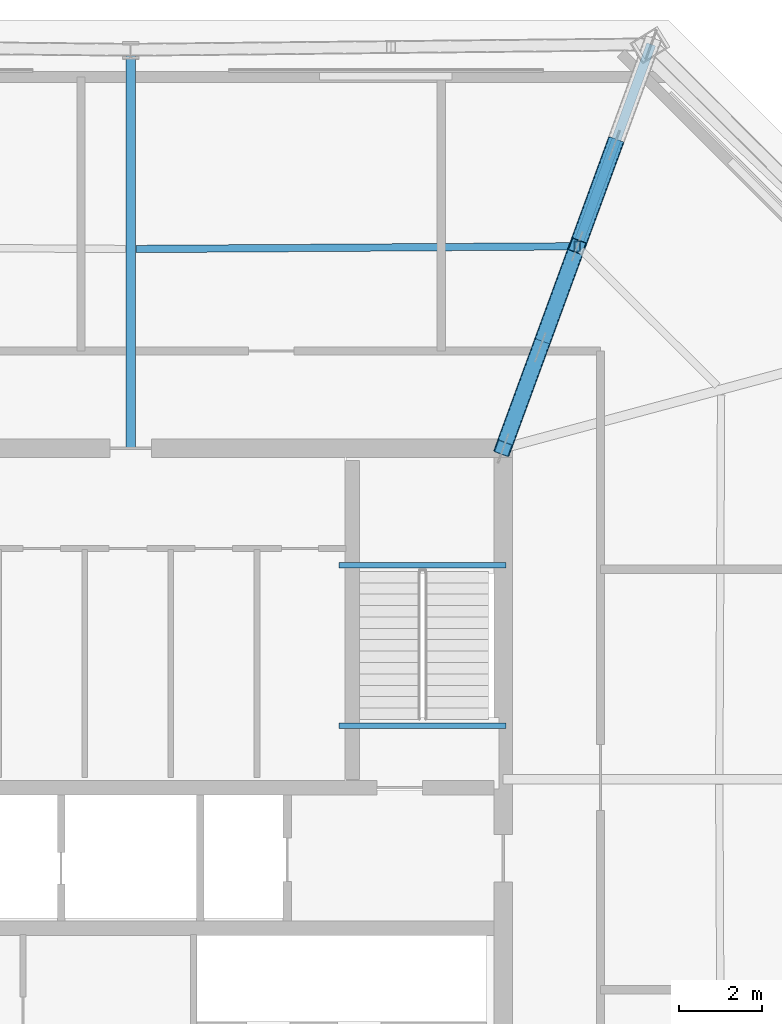
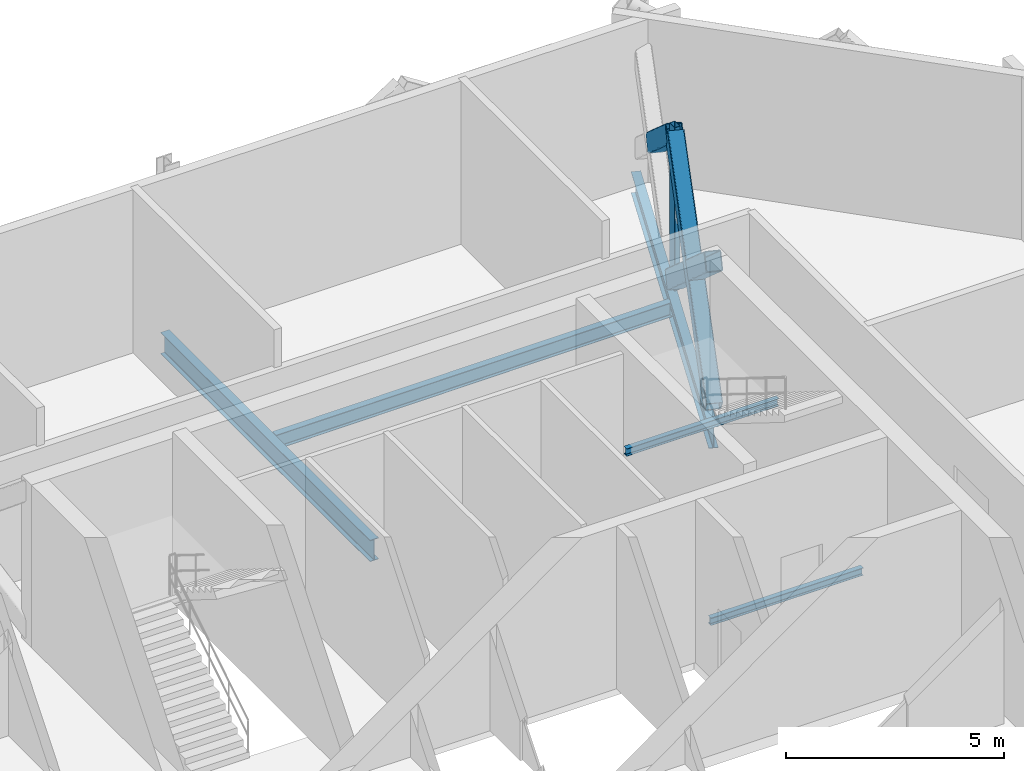
# One storey, part 5 of 10: 5 beams, 5 members.
"""IFC4 building model written with IfcOpenShell, lengths in metres."""

from ifc_helpers import new_model, si_unit, direction, frame, origin, origin_2d, place, context, subcontext, project, spatial, hollow_rectangle, i_section, extrude, material, material_profile, profile_set, type_object, element, save


model = new_model("IFC4")

# Units and contexts
model_context = context("Model", 3, precision=1e-05, world=origin(), true_north=direction((0.0, 1.0)))
body_context = subcontext(model_context, "Body", "Model", "MODEL_VIEW")
ifc_project = project(units=[si_unit("LENGTHUNIT", "METRE"), si_unit("AREAUNIT", "SQUARE_METRE"), si_unit("VOLUMEUNIT", "CUBIC_METRE"), si_unit("PLANEANGLEUNIT", "RADIAN"), si_unit("MASSUNIT", "GRAM", prefix="KILO")], contexts=[model_context])

# Site, building, storey
site_placement = place(None, origin())
site = spatial("IfcSite", under=ifc_project, at=site_placement, CompositionType="ELEMENT")
building_placement = place(site_placement, origin())
building = spatial("IfcBuilding", under=site, at=building_placement, Name="Caelvoria Tower", CompositionType="ELEMENT")
storey_placement = place(building_placement, frame((0.0, 0.0, 234.60009765625)))
storey = spatial("IfcBuildingStorey", under=building, at=storey_placement, Name="L62", CompositionType="ELEMENT", Elevation=234.60009765625)

# Beams
ifc_material_1 = material(Name="Structural Steel ASTM A992 Gr.50", Category="steel")
ifc_material_profile_1 = material_profile(ifc_material_1, i_section(OverallWidth=0.134033203125, OverallDepth=0.2099609375, WebThickness=0.00634765625, FlangeThickness=0.01025390625, FilletRadius=0.010009765625, at=origin_2d()), Name="Structural Steel ASTM A992 Gr.50")
ifc_profile_set_1 = profile_set([ifc_material_profile_1], Name="W200X31.3 - Structural Steel ASTM A992 Gr.50")
beam_type_1 = type_object("IfcBeamType", Name="Canopy Edge Trim Beam W200X31.3", PredefinedType="BEAM", material=ifc_profile_set_1)
for number, where, z_axis, x_axis, name in (
    (1, (51.030029296875, 37.175048828125, 2.094970703125), (1.0, 0.0, 0.0), (0.0, 1.0, 0.0), "ST-02 Half-Landing Support Beam L62"),
    (2, (51.030029296875, 33.300048828125, -0.30517578125), (1.0, 0.0, 0.0), (0.0, 1.0, 0.0), "ST-02 Floor-Landing Support Beam L62"),
):
    element("IfcBeam", number, at=place(storey_placement, frame(where, z_axis=z_axis, x_axis=x_axis)), inside=storey, type_object=beam_type_1, Name=name, PredefinedType="BEAM", context=body_context, shape_type="SweptSolid", body=[
        extrude(i_section(OverallWidth=0.134033203125, OverallDepth=0.2099609375, WebThickness=0.00634765625, FlangeThickness=0.01025390625, FilletRadius=0.010009765625, at=origin_2d()), origin(), (0.0, 0.0, 1.0), 4.0400390625),
    ])

# Members
ifc_material_2 = material(Name="Structural Steel ASTM A572 Gr.50", Category="steel")
ifc_material_profile_2 = material_profile(ifc_material_2, hollow_rectangle(XDim=0.39990234375, YDim=0.5, WallThickness=0.02197265625, InnerFilletRadius=0.02197265625, OuterFilletRadius=0.0439453125, at=origin_2d()), Name="Structural Steel ASTM A572 Gr.50")
ifc_profile_set_2 = profile_set([ifc_material_profile_2], Name="HSS500X400X22 - Structural Steel ASTM A572 Gr.50")
member_type_1 = type_object("IfcMemberType", Name="Outrigger Diagonal HSS500X400X22", PredefinedType="BRACE", material=ifc_profile_set_2)
member_1_placement = place(storey_placement, frame((55.0, 40.0, 0.25), z_axis=(0.270675754431, 0.738858663645, 0.617108184292), x_axis=(-0.93897448414, 0.343986799359, 0.0)))
element("IfcMember", 3, at=member_1_placement, inside=storey, type_object=member_type_1, Name="Outrigger Truss Diagonal L62-NE-1A", PredefinedType="BRACE", context=body_context, shape_type="SweptSolid", body=[
    extrude(hollow_rectangle(XDim=0.39990234375, YDim=0.5, WallThickness=0.02197265625, InnerFilletRadius=0.02197265625, OuterFilletRadius=0.0439453125, at=origin_2d()), origin(), (0.0, 0.0, 1.0), 6.603271484375),
])
member_2_placement = place(storey_placement, frame((55.0, 40.0, 4.324951171875), z_axis=(0.270703841243, 0.738834411826, -0.61712490003), x_axis=(-0.938959307136, 0.344028224922, 0.0)))
element("IfcMember", 4, at=member_2_placement, inside=storey, type_object=member_type_1, Name="Outrigger Truss Diagonal L62-NE-1B1", PredefinedType="BRACE", context=body_context, shape_type="SweptSolid", body=[
    extrude(hollow_rectangle(XDim=0.39990234375, YDim=0.5, WallThickness=0.02197265625, InnerFilletRadius=0.02197265625, OuterFilletRadius=0.0439453125, at=origin_2d()), origin(), (0.0, 0.0, 1.0), 3.3017578125),
])
member_3_placement = place(storey_placement, frame((55.893798828125, 42.439453125, 2.287353515625), z_axis=(0.270647665326, 0.738882915831, -0.617091466434), x_axis=(-0.938989659808, 0.343945371787, 0.0)))
element("IfcMember", 5, at=member_3_placement, inside=storey, type_object=member_type_1, Name="Outrigger Truss Diagonal L62-NE-1B2", PredefinedType="BRACE", context=body_context, shape_type="SweptSolid", body=[
    extrude(hollow_rectangle(XDim=0.39990234375, YDim=0.5, WallThickness=0.02197265625, InnerFilletRadius=0.02197265625, OuterFilletRadius=0.0439453125, at=origin_2d()), origin(), (0.0, 0.0, 1.0), 3.301513671875),
])
member_4_placement = place(storey_placement, frame((56.787353515625, 44.87890625, 4.324951171875), z_axis=(0.270703841243, 0.738834411826, -0.61712490003), x_axis=(-0.938959307136, 0.344028224922, 0.0)))
element("IfcMember", 6, at=member_4_placement, inside=storey, type_object=member_type_1, Name="Outrigger Truss Diagonal L62-NE-2B1", PredefinedType="BRACE", context=body_context, shape_type="SweptSolid", body=[
    extrude(hollow_rectangle(XDim=0.39990234375, YDim=0.5, WallThickness=0.02197265625, InnerFilletRadius=0.02197265625, OuterFilletRadius=0.0439453125, at=origin_2d()), origin(), (0.0, 0.0, 1.0), 3.3017578125),
])

# Beams
ifc_material_profile_3 = material_profile(ifc_material_1, i_section(OverallWidth=0.22802734375, OverallDepth=0.60302734375, WebThickness=0.010498046875, FlangeThickness=0.014892578125, FilletRadius=0.01806640625, at=origin_2d()), Name="Structural Steel ASTM A992 Gr.50")
ifc_profile_set_3 = profile_set([ifc_material_profile_3], Name="W610X101 - Structural Steel ASTM A992 Gr.50")
beam_type_2 = type_object("IfcBeamType", Name="Primary Floor Girder W610X101", PredefinedType="BEAM", material=ifc_profile_set_3)
beam_1_placement = place(storey_placement, frame((55.0, 40.0, -0.62158203125), z_axis=(0.343986799359, 0.93897448414, 0.0), x_axis=(-0.93897448414, 0.343986799359, 0.0)))
element("IfcBeam", 7, at=beam_1_placement, inside=storey, type_object=beam_type_2, Name="Primary Floor Girder L62-06", PredefinedType="BEAM", context=body_context, shape_type="SweptSolid", body=[
    extrude(i_section(OverallWidth=0.22802734375, OverallDepth=0.60302734375, WebThickness=0.010498046875, FlangeThickness=0.014892578125, FilletRadius=0.01806640625, at=origin_2d()), origin(), (0.0, 0.0, 1.0), 10.39208984375),
])
beam_2_placement = place(storey_placement, frame((46.0, 40.0, -0.62158203125), z_axis=(0.0, 1.0, 0.0), x_axis=(-1.0, 0.0, 0.0)))
element("IfcBeam", 8, at=beam_2_placement, inside=storey, type_object=beam_type_2, Name="Primary Floor Girder L62-07", PredefinedType="BEAM", context=body_context, shape_type="SweptSolid", body=[
    extrude(i_section(OverallWidth=0.22802734375, OverallDepth=0.60302734375, WebThickness=0.010498046875, FlangeThickness=0.014892578125, FilletRadius=0.01806640625, at=origin_2d()), origin(), (0.0, 0.0, 1.0), 9.62548828125),
])
ifc_material_profile_4 = material_profile(ifc_material_1, i_section(OverallWidth=0.177978515625, OverallDepth=0.406982421875, WebThickness=0.0078125, FlangeThickness=0.0126953125, FilletRadius=0.013916015625, at=origin_2d()), Name="Structural Steel ASTM A992 Gr.50")
ifc_profile_set_4 = profile_set([ifc_material_profile_4], Name="W410X60 - Structural Steel ASTM A992 Gr.50")
beam_type_3 = type_object("IfcBeamType", Name="Secondary Floor Beam W410X60", PredefinedType="BEAM", material=ifc_profile_set_4)
beam_3_placement = place(storey_placement, frame((56.662353515625, 44.878173828125, -0.523681640625), z_axis=(-0.999981293925, -0.006116518653, 0.0), x_axis=(0.006116518653, -0.999981293925, 0.0)))
element("IfcBeam", 9, at=beam_3_placement, inside=storey, type_object=beam_type_3, Name="Secondary Floor Beam L62-06", PredefinedType="BEAM", context=body_context, shape_type="SweptSolid", body=[
    extrude(i_section(OverallWidth=0.177978515625, OverallDepth=0.406982421875, WebThickness=0.0078125, FlangeThickness=0.0126953125, FilletRadius=0.013916015625, at=origin_2d()), origin(), (0.0, 0.0, 1.0), 10.53759765625),
])

# Member
ifc_material_profile_5 = material_profile(ifc_material_2, hollow_rectangle(XDim=0.14990234375, YDim=0.25, WallThickness=0.010009765625, InnerFilletRadius=0.010009765625, OuterFilletRadius=0.02001953125, at=origin_2d()), Name="Structural Steel ASTM A572 Gr.50")
ifc_profile_set_5 = profile_set([ifc_material_profile_5], Name="HSS250X150X10 - Structural Steel ASTM A572 Gr.50")
member_type_2 = type_object("IfcMemberType", Name="Sky Pool Truss Post HSS250X150X10", PredefinedType="POST", material=ifc_profile_set_5)
member_5_placement = place(storey_placement, frame((56.787353515625, 44.87890625, 0.0), z_axis=(0.0, 0.0, 1.0), x_axis=(1.0, 0.0, 0.0)))
element("IfcMember", 10, at=member_5_placement, inside=storey, type_object=member_type_2, Name="Outrigger Mid-Panel Post L62-NE", PredefinedType="POST", context=body_context, shape_type="SweptSolid", body=[
    extrude(hollow_rectangle(XDim=0.14990234375, YDim=0.25, WallThickness=0.010009765625, InnerFilletRadius=0.010009765625, OuterFilletRadius=0.02001953125, at=origin_2d()), origin(), (0.0, 0.0, 1.0), 4.574951171875),
])

save(model, "model.ifc")
